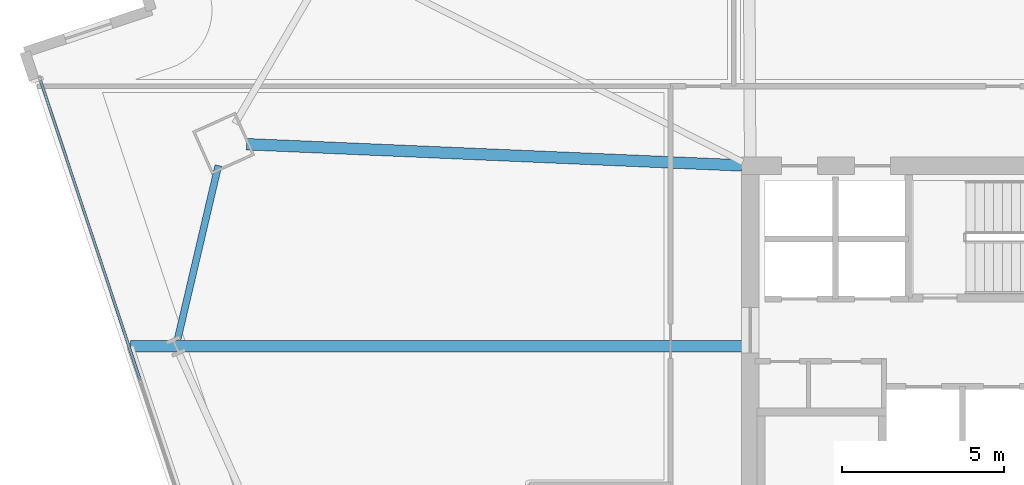
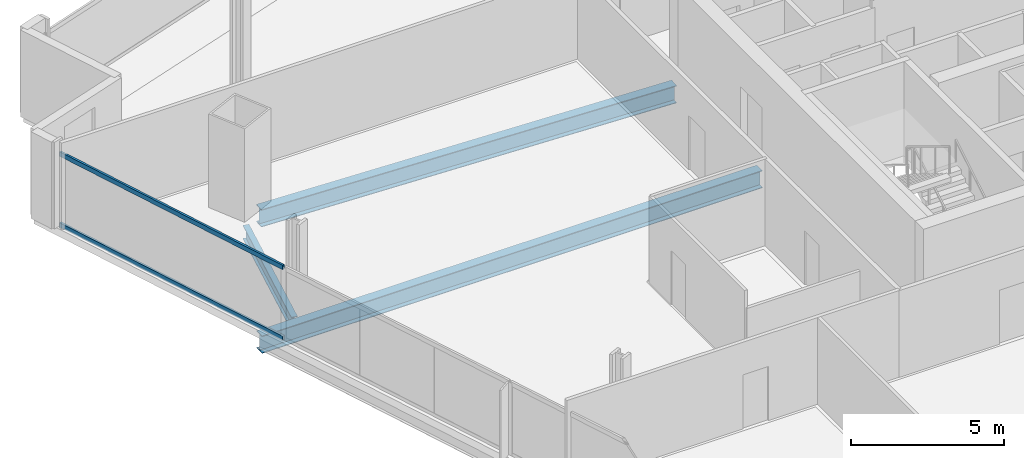
# One storey, part 15 of 34: 3 beams, 2 members, 1 element without a shape of its own.
"""IFC4 building model written with IfcOpenShell, lengths in metres."""

from ifc_helpers import new_model, si_unit, direction, frame, origin, origin_2d, place, context, subcontext, project, spatial, hollow_rectangle, i_section, extrude, material, material_profile, profile_set, type_object, element, aggregate, save


model = new_model("IFC4")

# Units and contexts
model_context = context("Model", 3, precision=1e-05, world=origin(), true_north=direction((0.0, 1.0)))
body_context = subcontext(model_context, "Body", "Model", "MODEL_VIEW")
ifc_project = project(units=[si_unit("LENGTHUNIT", "METRE"), si_unit("AREAUNIT", "SQUARE_METRE"), si_unit("VOLUMEUNIT", "CUBIC_METRE"), si_unit("PLANEANGLEUNIT", "RADIAN"), si_unit("MASSUNIT", "GRAM", prefix="KILO")], contexts=[model_context])

# Site, building, storey
site_placement = place(None, origin())
site = spatial("IfcSite", under=ifc_project, at=site_placement, CompositionType="ELEMENT")
building_placement = place(site_placement, origin())
building = spatial("IfcBuilding", under=site, at=building_placement, Name="Haldenkirk Collegiate Tower", CompositionType="ELEMENT")
storey_placement = place(building_placement, frame((0.0, 0.0, 90.449951171875)))
storey = spatial("IfcBuildingStorey", under=building, at=storey_placement, Name="L21", CompositionType="ELEMENT", Elevation=90.449951171875)

# Beams
ifc_material_1 = material(Name="Steel ASTM A992 Grade 50", Category="steel")
ifc_material_profile_1 = material_profile(ifc_material_1, i_section(OverallWidth=0.35498046875, OverallDepth=0.696044921875, WebThickness=0.015380859375, FlangeThickness=0.02490234375, at=origin_2d()), Name="W27X146")
ifc_profile_set_1 = profile_set([ifc_material_profile_1], Name="Steel ASTM A992 Grade 50")
beam_type_1 = type_object("IfcBeamType", Name="BM-GIRDER-W27X146", PredefinedType="BEAM", material=ifc_profile_set_1)
beam_1_placement = place(storey_placement, frame((11.489990234375, 34.6650390625, -0.64794921875), z_axis=(0.999082162822, -0.042834938212, 0.0), x_axis=(0.042834938212, 0.999082162822, 0.0)))
element("IfcBeam", 1, at=beam_1_placement, inside=storey, type_object=beam_type_1, Name="L21 primary floor girder 04", PredefinedType="BEAM", context=body_context, shape_type="SweptSolid", body=[
    extrude(i_section(OverallWidth=0.35498046875, OverallDepth=0.696044921875, WebThickness=0.015380859375, FlangeThickness=0.02490234375, at=origin_2d()), origin(), (0.0, 0.0, 1.0), 15.26904296875),
])
beam_2_placement = place(storey_placement, frame((7.9150390625, 28.436767578125, -0.64794921875), z_axis=(1.0, 0.0, 0.0), x_axis=(0.0, 1.0, 0.0)))
element("IfcBeam", 2, at=beam_2_placement, inside=storey, type_object=beam_type_1, Name="L21 primary floor girder 14", PredefinedType="BEAM", context=body_context, shape_type="SweptSolid", body=[
    extrude(i_section(OverallWidth=0.35498046875, OverallDepth=0.696044921875, WebThickness=0.015380859375, FlangeThickness=0.02490234375, at=origin_2d()), origin(), (0.0, 0.0, 1.0), 18.830078125),
])
ifc_material_profile_2 = material_profile(ifc_material_1, i_section(OverallWidth=0.2119140625, OverallDepth=0.5439453125, WebThickness=0.01318359375, FlangeThickness=0.021240234375, at=origin_2d()), Name="W21X83")
ifc_profile_set_2 = profile_set([ifc_material_profile_2], Name="Steel ASTM A992 Grade 50")
beam_type_2 = type_object("IfcBeamType", Name="BM-SPANDREL-W21X83", PredefinedType="SPANDREL", material=ifc_profile_set_2)
beam_3_placement = place(storey_placement, frame((10.624755859375, 34.0087890625, -0.572021484375), z_axis=(-0.228373515871, -0.97357359108, 0.0), x_axis=(0.97357359108, -0.228373515871, 0.0)))
element("IfcBeam", 3, at=beam_3_placement, inside=storey, type_object=beam_type_2, Name="L21 perimeter spandrel beam 13", PredefinedType="SPANDREL", context=body_context, shape_type="SweptSolid", body=[
    extrude(i_section(OverallWidth=0.2119140625, OverallDepth=0.5439453125, WebThickness=0.01318359375, FlangeThickness=0.021240234375, at=origin_2d()), origin(), (0.0, 0.0, 1.0), 5.477783203125),
])

# Curtain wall, members
ifc_material_2 = material(Name="Anodised architectural bronze aluminium", Category="aluminium")
curtain_wall_type = type_object("IfcCurtainWallType", Name="CW-SYS1-CONVEX-LOW", PredefinedType="USERDEFINED", material=ifc_material_2)
curtain_wall_placement = place(storey_placement, origin())
curtain_wall = element("IfcCurtainWall", 4, at=curtain_wall_placement, inside=storey, type_object=curtain_wall_type, Name="L21 Lower tower convex bronze-framed unitised curtain wall", ObjectType="UNITISED CURTAIN WALL", PredefinedType="USERDEFINED")
ifc_material_profile_3 = material_profile(ifc_material_2, hollow_rectangle(XDim=0.080078125, YDim=0.179931640625, WallThickness=0.0048828125, at=origin_2d()), Name="CW-TRN-1A")
ifc_profile_set_3 = profile_set([ifc_material_profile_3], Name="Anodised architectural bronze aluminium")
member_type = type_object("IfcMemberType", Name="CW-TRN-1A", PredefinedType="USERDEFINED", material=ifc_profile_set_3)
member_1_placement = place(storey_placement, frame((8.22021484375, 27.392578125, 0.0400390625), z_axis=(-0.315655614082, 0.948873823698, 0.0), x_axis=(-0.948873823698, -0.315655614082, 0.0)))
member_1 = element("IfcMember", 5, at=member_1_placement, type_object=member_type, Name="CW-1A transom 4.1", ObjectType="TRANSOM", PredefinedType="USERDEFINED", context=body_context, shape_type="SweptSolid", body=[
    extrude(hollow_rectangle(XDim=0.080078125, YDim=0.179931640625, WallThickness=0.0048828125, at=origin_2d()), origin(), (0.0, 0.0, 1.0), 9.72998046875),
])
member_2_placement = place(storey_placement, frame((8.22021484375, 27.392578125, 2.861083984375), z_axis=(-0.315655614082, 0.948873823698, 0.0), x_axis=(-0.948873823698, -0.315655614082, 0.0)))
member_2 = element("IfcMember", 6, at=member_2_placement, type_object=member_type, Name="CW-1A transom 4.2", ObjectType="TRANSOM", PredefinedType="USERDEFINED", context=body_context, shape_type="SweptSolid", body=[
    extrude(hollow_rectangle(XDim=0.080078125, YDim=0.179931640625, WallThickness=0.0048828125, at=origin_2d()), origin(), (0.0, 0.0, 1.0), 9.72998046875),
])
aggregate(curtain_wall, [member_1, member_2])

save(model, "model.ifc")
